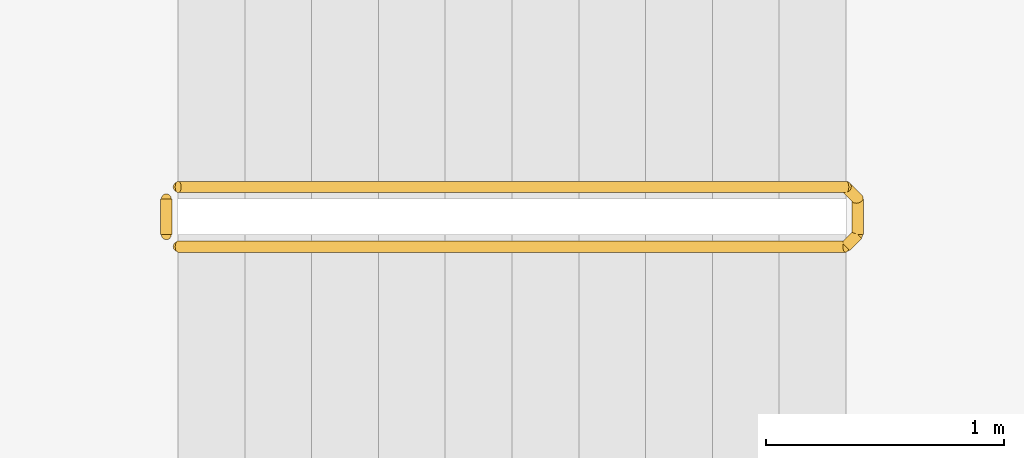
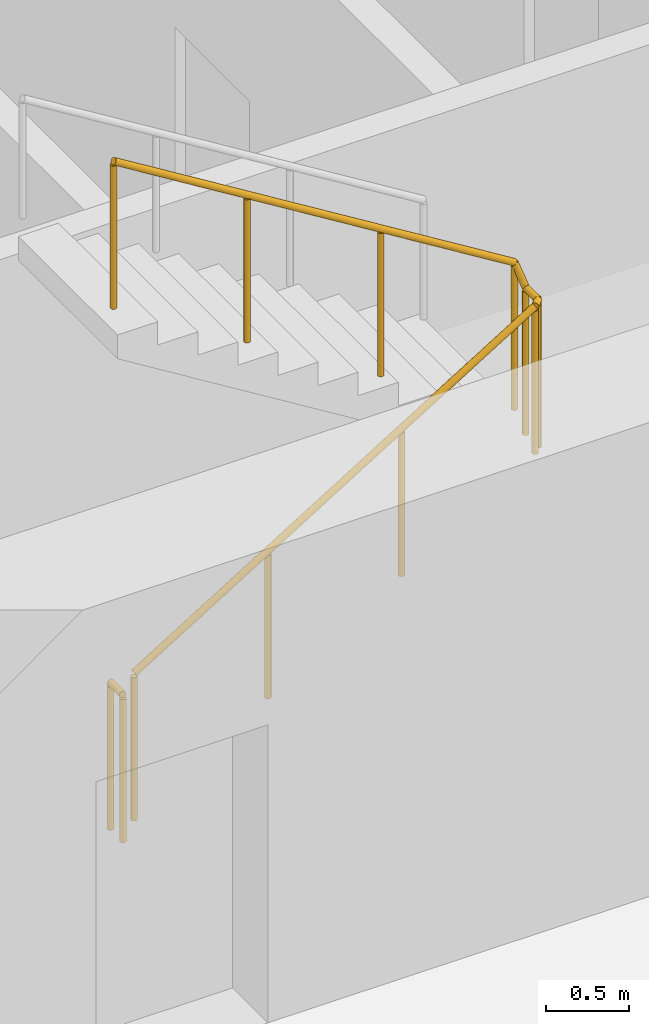
# One storey, part 10 of 14: 2 railings.
"""IFC4 building model written with IfcOpenShell, lengths in metres."""

from ifc_helpers import new_model, si_unit, direction, frame, origin, origin_2d, place, context, subcontext, project, spatial, circle, extrude, material, type_object, element, save


model = new_model("IFC4")

# Units and contexts
model_context = context("Model", 3, precision=1e-05, world=origin(), true_north=direction((0.0, 1.0)))
body_context = subcontext(model_context, "Body", "Model", "MODEL_VIEW")
ifc_project = project(units=[si_unit("LENGTHUNIT", "METRE"), si_unit("AREAUNIT", "SQUARE_METRE"), si_unit("VOLUMEUNIT", "CUBIC_METRE"), si_unit("PLANEANGLEUNIT", "RADIAN"), si_unit("MASSUNIT", "GRAM", prefix="KILO")], contexts=[model_context])

# Site, building, storey
site_placement = place(None, origin())
site = spatial("IfcSite", under=ifc_project, at=site_placement, CompositionType="ELEMENT")
building_placement = place(site_placement, origin())
building = spatial("IfcBuilding", under=site, at=building_placement, Name="Orbiselva Terraces", CompositionType="ELEMENT")
storey_placement = place(building_placement, frame((0.0, 0.0, 84.6)))
storey = spatial("IfcBuildingStorey", under=building, at=storey_placement, Name="L21", CompositionType="ELEMENT", Elevation=84.6)

# Railings
ifc_material = material(Name="Stainless steel", Category="steel")
railing_type = type_object("IfcRailingType", Name="CORE-GUARD-1100", PredefinedType="GUARDRAIL", material=ifc_material)
railing_1_placement = place(storey_placement, frame((-7.15, 6.55, 0.172727)))
element("IfcRailing", 1, at=railing_1_placement, inside=storey, type_object=railing_type, Name="L21 S3 stair guard 1", PredefinedType="GUARDRAIL", context=body_context, shape_type="SweptSolid", body=[
    extrude(circle(Radius=0.024, at=origin_2d()), frame((0.0, 0.0, 1.081), z_axis=(0.851088519012, 0.0, 0.52502222125), x_axis=(0.0, 1.0, 0.0)), (0.0, 0.0, 1.0), 3.289905),
    extrude(circle(Radius=0.024, at=origin_2d()), frame((2.8, 0.0, 2.808273), z_axis=(0.707106781187, 0.707106781187, 0.0), x_axis=(-0.707106781187, 0.707106781187, 0.0)), (0.0, 0.0, 1.0), 0.070711),
    extrude(circle(Radius=0.024, at=origin_2d()), frame((2.85, 0.05, 2.808273), z_axis=(0.0, 1.0, 0.0), x_axis=(-1.0, 0.0, 0.0)), (0.0, 0.0, 1.0), 0.15),
    extrude(circle(Radius=0.024, at=origin_2d()), frame((2.85, 0.2, 2.808273), z_axis=(-0.267894925557, 0.267894925557, 0.925453736133), x_axis=(-0.707106781187, -0.707106781187, 0.0)), (0.0, 0.0, 1.0), 0.18664),
    extrude(circle(Radius=0.024, at=origin_2d()), frame((2.8, 0.25, 2.981), z_axis=(-0.851088519012, 0.0, 0.52502222125), x_axis=(0.0, -1.0, 0.0)), (0.0, 0.0, 1.0), 3.289905),
    extrude(circle(Radius=0.021, at=origin_2d()), origin(), (0.0, 0.0, 1.0), 1.057),
    extrude(circle(Radius=0.021, at=origin_2d()), frame((0.933333, 0.0, 0.575758)), (0.0, 0.0, 1.0), 1.057),
    extrude(circle(Radius=0.021, at=origin_2d()), frame((1.866667, 0.0, 1.151515)), (0.0, 0.0, 1.0), 1.057),
    extrude(circle(Radius=0.021, at=origin_2d()), frame((2.8, 0.0, 1.727273)), (0.0, 0.0, 1.0), 1.057),
    extrude(circle(Radius=0.021, at=origin_2d()), frame((2.85, 0.05, 1.727273)), (0.0, 0.0, 1.0), 1.057),
    extrude(circle(Radius=0.021, at=origin_2d()), frame((2.85, 0.2, 1.727273)), (0.0, 0.0, 1.0), 1.057),
    extrude(circle(Radius=0.021, at=origin_2d()), frame((2.8, 0.25, 1.9)), (0.0, 0.0, 1.0), 1.057),
    extrude(circle(Radius=0.021, at=origin_2d()), frame((1.866667, 0.25, 2.475758)), (0.0, 0.0, 1.0), 1.057),
    extrude(circle(Radius=0.021, at=origin_2d()), frame((0.933333, 0.25, 3.051515)), (0.0, 0.0, 1.0), 1.057),
    extrude(circle(Radius=0.021, at=origin_2d()), frame((0.0, 0.25, 3.627273)), (0.0, 0.0, 1.0), 1.057),
])
railing_2_placement = place(storey_placement, frame((-7.2, 6.6, 0.0)))
element("IfcRailing", 2, at=railing_2_placement, inside=storey, type_object=railing_type, Name="L21 S3 stair guard 2", PredefinedType="GUARDRAIL", context=body_context, shape_type="SweptSolid", body=[
    extrude(circle(Radius=0.024, at=origin_2d()), frame((0.0, 0.0, 1.081), z_axis=(0.0, 1.0, 0.0), x_axis=(-1.0, 0.0, 0.0)), (0.0, 0.0, 1.0), 0.15),
    extrude(circle(Radius=0.021, at=origin_2d()), origin(), (0.0, 0.0, 1.0), 1.057),
    extrude(circle(Radius=0.021, at=origin_2d()), frame((0.0, 0.15, 0.0)), (0.0, 0.0, 1.0), 1.057),
])

save(model, "model.ifc")
